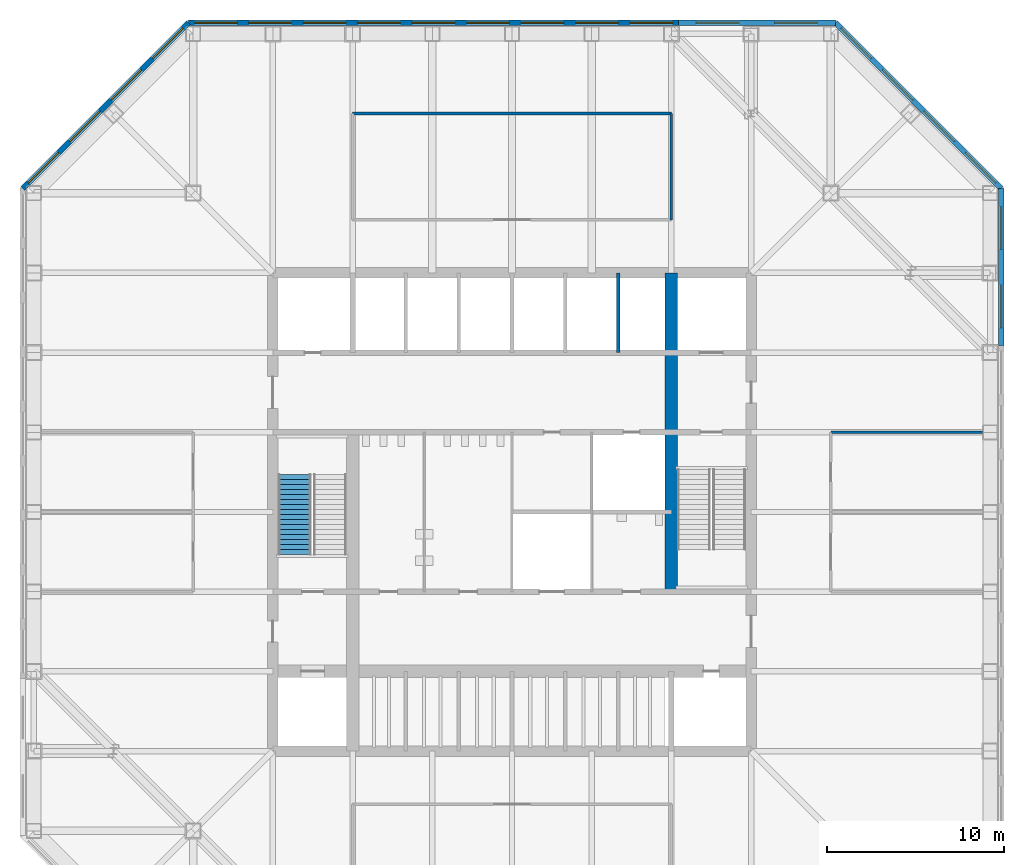
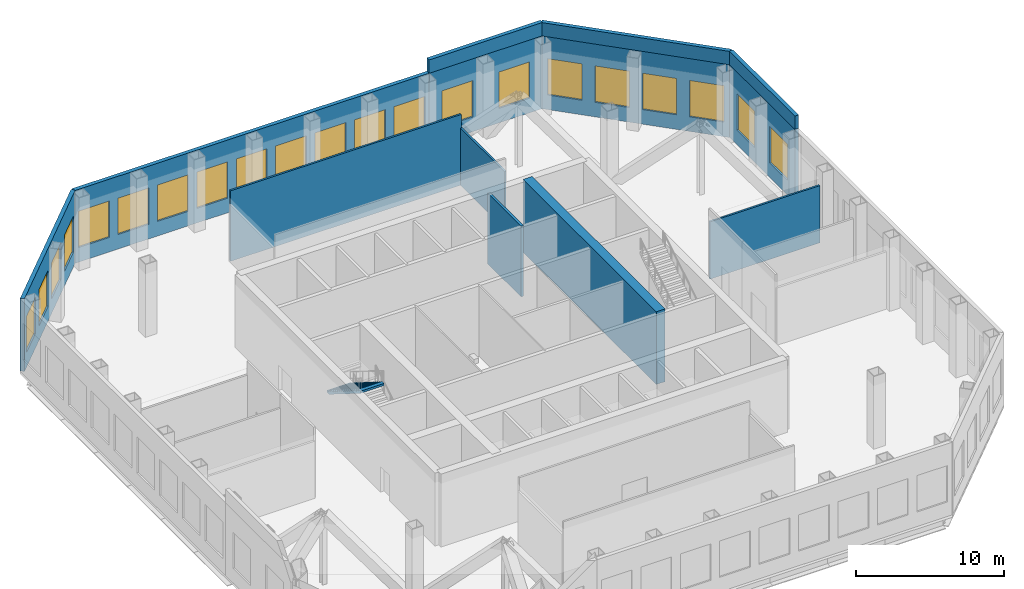
# One storey, part 8 of 11: 21 windows, 13 walls, 1 stair flight, 21 openings, 1 element without a shape of its own.
"""IFC4 building model written with IfcOpenShell, lengths in metres."""

from ifc_helpers import new_model, si_unit, direction, frame, frame_2d, origin, place, context, subcontext, project, spatial, polyline, rectangle, outline, extrude, material, layer, layer_set, type_object, element, fill, aggregate, save


model = new_model("IFC4")

# Units and contexts
model_context = context("Model", 3, precision=1e-05, world=origin(), true_north=direction((0.0, 1.0)))
body_context = subcontext(model_context, "Body", "Model", "MODEL_VIEW")
ifc_project = project(units=[si_unit("LENGTHUNIT", "METRE"), si_unit("AREAUNIT", "SQUARE_METRE"), si_unit("VOLUMEUNIT", "CUBIC_METRE"), si_unit("PLANEANGLEUNIT", "RADIAN"), si_unit("MASSUNIT", "GRAM", prefix="KILO")], contexts=[model_context])

# Site, building, storey
site_placement = place(None, origin())
site = spatial("IfcSite", under=ifc_project, at=site_placement, CompositionType="ELEMENT")
building_placement = place(site_placement, origin())
building = spatial("IfcBuilding", under=site, at=building_placement, Name="Corais Broadcast Tower", CompositionType="ELEMENT")
storey_placement = place(building_placement, frame((0.0, 0.0, 104.60009765625)))
storey = spatial("IfcBuildingStorey", under=building, at=storey_placement, Name="L23", CompositionType="ELEMENT", Elevation=104.60009765625)

# Walls
ifc_material_1 = material(Name="Concrete C50/60", Category="concrete")
ifc_layer_1 = layer(ifc_material_1, 0.699951171875)
ifc_layer_set_1 = layer_set([ifc_layer_1], Name="Concrete C50/60")
wall_type_1 = type_object("IfcWallType", Name="Core spine wall 700", PredefinedType="SHEAR", material=ifc_layer_set_1)
wall_1_placement = place(storey_placement, frame((36.0, 22.5, 0.0), z_axis=(0.0, 0.0, 1.0), x_axis=(0.0, 1.0, 0.0)))
element("IfcWall", 1, at=wall_1_placement, inside=storey, type_object=wall_type_1, Name="CR700 core wall X36B L23", PredefinedType="SHEAR", context=body_context, shape_type="SweptSolid", body=[
    extrude(rectangle(XDim=18.0, YDim=0.699951171875, at=frame_2d((9.0, 0.0))), origin(), (0.0, 0.0, 1.0), 6.0),
])
ifc_material_2 = material(Name="Two layers of fire-rated gypsum board each side on steel studs", Category="steel")
ifc_layer_2 = layer(ifc_material_2, 0.14990234375)
ifc_layer_set_2 = layer_set([ifc_layer_2], Name="Two layers of fire-rated gypsum board each side on steel studs")
wall_type_2 = type_object("IfcWallType", Name="Fire-rated partition 150 EI 60", PredefinedType="PARTITIONING", material=ifc_layer_set_2)
wall_2_placement = place(storey_placement, frame((36.0, 43.5, 0.0), z_axis=(0.0, 0.0, 1.0), x_axis=(0.0, 1.0, 0.0)))
element("IfcWall", 2, at=wall_2_placement, inside=storey, type_object=wall_type_2, Name="IW7 partition L23", PredefinedType="PARTITIONING", context=body_context, shape_type="SweptSolid", body=[
    extrude(rectangle(XDim=6.0, YDim=0.14990234375, at=frame_2d((3.0, 0.0))), origin(), (0.0, 0.0, 1.0), 4.719970703125),
])
wall_3_placement = place(storey_placement, frame((36.0, 49.5, 0.0), z_axis=(0.0, 0.0, 1.0), x_axis=(-1.0, 0.0, 0.0)))
element("IfcWall", 3, at=wall_3_placement, inside=storey, type_object=wall_type_2, Name="IW7 partition L23", PredefinedType="PARTITIONING", context=body_context, shape_type="SweptSolid", body=[
    extrude(rectangle(XDim=18.0, YDim=0.14990234375, at=frame_2d((9.0, 0.0))), origin(), (0.0, 0.0, 1.0), 5.81982421875),
])
ifc_material_3 = material(Name="Precast concrete C40/50", Category="concrete")
ifc_layer_3 = layer(ifc_material_3, 0.300048828125)
ifc_layer_set_3 = layer_set([ifc_layer_3], Name="Precast concrete C40/50")
wall_type_3 = type_object("IfcWallType", Name="Parapet wall 300", PredefinedType="PARAPET", material=ifc_layer_set_3)
wall_4_placement = place(storey_placement, frame((36.40234375, 54.6298828125, 6.0), z_axis=(0.0, 0.0, 1.0), x_axis=(1.0, 0.0, 0.0)))
element("IfcWall", 4, at=wall_4_placement, inside=storey, type_object=wall_type_3, Name="PW1 parapet L23", PredefinedType="PARAPET", context=body_context, shape_type="SweptSolid", body=[
    extrude(rectangle(XDim=8.858642578125, YDim=0.300048828125, at=frame_2d((4.42919921875, 0.0))), origin(), (0.0, 0.0, 1.0), 1.099853515625),
])
wall_5_placement = place(storey_placement, frame((45.260986328125, 54.6298828125, 6.0), z_axis=(0.0, 0.0, 1.0), x_axis=(0.707106781187, -0.707106781187, 0.0)))
element("IfcWall", 5, at=wall_5_placement, inside=storey, type_object=wall_type_3, Name="PW1 parapet L23", PredefinedType="PARAPET", context=body_context, shape_type="SweptSolid", body=[
    extrude(rectangle(XDim=13.24951171875, YDim=0.300048828125, at=frame_2d((6.624755859375, 0.0))), origin(), (0.0, 0.0, 1.0), 1.099853515625),
])
wall_6_placement = place(storey_placement, frame((54.6298828125, 45.260986328125, 6.0), z_axis=(0.0, 0.0, 1.0), x_axis=(0.0, -1.0, 0.0)))
element("IfcWall", 6, at=wall_6_placement, inside=storey, type_object=wall_type_3, Name="PW1 parapet L23", PredefinedType="PARAPET", context=body_context, shape_type="SweptSolid", body=[
    extrude(rectangle(XDim=8.858642578125, YDim=0.300048828125, at=frame_2d((4.42919921875, 0.0))), origin(), (0.0, 0.0, 1.0), 1.099853515625),
])
ifc_material_4 = material(Name="Gypsum board on steel studs", Category="steel")
ifc_layer_4 = layer(ifc_material_4, 0.14990234375)
ifc_layer_set_4 = layer_set([ifc_layer_4], Name="Gypsum board on steel studs")
wall_type_4 = type_object("IfcWallType", Name="Partition 150", PredefinedType="PARTITIONING", material=ifc_layer_set_4)
wall_7_placement = place(storey_placement, frame((53.56494140625, 31.5, 0.0), z_axis=(0.0, 0.0, 1.0), x_axis=(-1.0, 0.0, 0.0)))
element("IfcWall", 7, at=wall_7_placement, inside=storey, type_object=wall_type_4, Name="IW3 partition L23", PredefinedType="PARTITIONING", context=body_context, shape_type="SweptSolid", body=[
    extrude(rectangle(XDim=8.56494140625, YDim=0.14990234375, at=frame_2d((4.282470703125, 0.0))), origin(), (0.0, 0.0, 1.0), 4.719970703125),
])
ifc_material_5 = material(Name="Concrete blockwork class A, grouted, two-hour", Category="masonry")
ifc_layer_5 = layer(ifc_material_5, 0.199951171875)
ifc_layer_set_5 = layer_set([ifc_layer_5], Name="Concrete blockwork class A, grouted, two-hour")
wall_type_5 = type_object("IfcWallType", Name="Shaft wall 200", PredefinedType="PARTITIONING", material=ifc_layer_set_5)
wall_8_placement = place(storey_placement, frame((33.0, 36.0, 0.0), z_axis=(0.0, 0.0, 1.0), x_axis=(0.0, 1.0, 0.0)))
element("IfcWall", 8, at=wall_8_placement, inside=storey, type_object=wall_type_5, Name="IW1 shaft wall L23", PredefinedType="PARTITIONING", context=body_context, shape_type="SweptSolid", body=[
    extrude(rectangle(XDim=4.5, YDim=0.199951171875, at=frame_2d((2.25, 0.0))), origin(), (0.0, 0.0, 1.0), 5.81982421875),
])

# Wall, openings, windows
ifc_material_6 = material(Name="Precast concrete C40/50", Category="concrete")
ifc_layer_6 = layer(ifc_material_6, 0.300048828125)
ifc_layer_set_6 = layer_set([ifc_layer_6], Name="Precast concrete C40/50")
wall_type_6 = type_object("IfcWallType", Name="Stone-faced precast wall 300", PredefinedType="SOLIDWALL", material=ifc_layer_set_6)
wall_9_placement = place(storey_placement, frame((-0.6298828125, 45.260986328125, 0.0), z_axis=(0.0, 0.0, 1.0), x_axis=(0.707106781187, 0.707106781187, 0.0)))
wall_9 = element("IfcWall", 9, at=wall_9_placement, inside=storey, type_object=wall_type_6, Name="EW1 external wall L23 3", PredefinedType="SOLIDWALL", context=body_context, shape_type="SweptSolid", body=[
    extrude(rectangle(XDim=13.24951171875, YDim=0.300048828125, at=frame_2d((6.624755859375, 0.0))), origin(), (0.0, 0.0, 1.0), 6.0),
])
opening_1_placement = place(wall_9_placement, frame((0.456298828125, 0.0, 1.199951171875)))
opening_1 = element("IfcOpeningElement", 10, at=opening_1_placement, cuts=wall_9, Name="Opening LV1", PredefinedType="OPENING", context=body_context, shape_type="SweptSolid", body=[
    extrude(rectangle(XDim=2.39990234375, YDim=3.0, at=frame_2d((1.199951171875, 1.5))), frame((0.0, 0.159912109375, 0.0), z_axis=(0.0, -1.0, 0.0), x_axis=(1.0, 0.0, 0.0)), (0.0, 0.0, 1.0), 0.320068359375),
])
opening_2_placement = place(wall_9_placement, frame((3.7685546875, 0.0, 1.199951171875)))
opening_2 = element("IfcOpeningElement", 11, at=opening_2_placement, cuts=wall_9, Name="Opening LV1", PredefinedType="OPENING", context=body_context, shape_type="SweptSolid", body=[
    extrude(rectangle(XDim=2.39990234375, YDim=3.0, at=frame_2d((1.199951171875, 1.5))), frame((0.0, 0.159912109375, 0.0), z_axis=(0.0, -1.0, 0.0), x_axis=(1.0, 0.0, 0.0)), (0.0, 0.0, 1.0), 0.320068359375),
])
opening_3_placement = place(wall_9_placement, frame((7.0810546875, 0.0, 1.199951171875)))
opening_3 = element("IfcOpeningElement", 12, at=opening_3_placement, cuts=wall_9, Name="Opening LV1", PredefinedType="OPENING", context=body_context, shape_type="SweptSolid", body=[
    extrude(rectangle(XDim=2.39990234375, YDim=3.0, at=frame_2d((1.199951171875, 1.5))), frame((0.0, 0.159912109375, 0.0), z_axis=(0.0, -1.0, 0.0), x_axis=(1.0, 0.0, 0.0)), (0.0, 0.0, 1.0), 0.320068359375),
])
opening_4_placement = place(wall_9_placement, frame((10.3935546875, 0.0, 1.199951171875)))
opening_4 = element("IfcOpeningElement", 13, at=opening_4_placement, cuts=wall_9, Name="Opening LV1", PredefinedType="OPENING", context=body_context, shape_type="SweptSolid", body=[
    extrude(rectangle(XDim=2.39990234375, YDim=3.0, at=frame_2d((1.199951171875, 1.5))), frame((0.0, 0.159912109375, 0.0), z_axis=(0.0, -1.0, 0.0), x_axis=(1.0, 0.0, 0.0)), (0.0, 0.0, 1.0), 0.320068359375),
])
ifc_material_7 = material(Name="Aluminium frame", Category="aluminium")
window_type = type_object("IfcWindowType", Name="Plant louvre 2400x3000", PartitioningType="SINGLE_PANEL", PredefinedType="USERDEFINED", material=ifc_material_7)
window_1_placement = place(opening_1_placement, origin())
window_1 = element("IfcWindow", 14, at=window_1_placement, inside=storey, type_object=window_type, Name="LV1 window L23", ObjectType="LOUVRE", OverallHeight=3.0, OverallWidth=2.39990234375, PartitioningType="SINGLE_PANEL", PredefinedType="USERDEFINED", context=body_context, shape_type="SweptSolid", body=[
    extrude(rectangle(XDim=2.39990234375, YDim=3.0, at=frame_2d((1.199951171875, 1.5))), frame((0.0, 0.030029296875, 0.0), z_axis=(0.0, -1.0, 0.0), x_axis=(1.0, 0.0, 0.0)), (0.0, 0.0, 1.0), 0.06005859375),
])
fill(opening_1, window_1)
window_2_placement = place(opening_2_placement, origin())
window_2 = element("IfcWindow", 15, at=window_2_placement, inside=storey, type_object=window_type, Name="LV1 window L23", ObjectType="LOUVRE", OverallHeight=3.0, OverallWidth=2.39990234375, PartitioningType="SINGLE_PANEL", PredefinedType="USERDEFINED", context=body_context, shape_type="SweptSolid", body=[
    extrude(rectangle(XDim=2.39990234375, YDim=3.0, at=frame_2d((1.199951171875, 1.5))), frame((0.0, 0.030029296875, 0.0), z_axis=(0.0, -1.0, 0.0), x_axis=(1.0, 0.0, 0.0)), (0.0, 0.0, 1.0), 0.06005859375),
])
fill(opening_2, window_2)
window_3_placement = place(opening_3_placement, origin())
window_3 = element("IfcWindow", 16, at=window_3_placement, inside=storey, type_object=window_type, Name="LV1 window L23", ObjectType="LOUVRE", OverallHeight=3.0, OverallWidth=2.39990234375, PartitioningType="SINGLE_PANEL", PredefinedType="USERDEFINED", context=body_context, shape_type="SweptSolid", body=[
    extrude(rectangle(XDim=2.39990234375, YDim=3.0, at=frame_2d((1.199951171875, 1.5))), frame((0.0, 0.030029296875, 0.0), z_axis=(0.0, -1.0, 0.0), x_axis=(1.0, 0.0, 0.0)), (0.0, 0.0, 1.0), 0.06005859375),
])
fill(opening_3, window_3)
window_4_placement = place(opening_4_placement, origin())
window_4 = element("IfcWindow", 17, at=window_4_placement, inside=storey, type_object=window_type, Name="LV1 window L23", ObjectType="LOUVRE", OverallHeight=3.0, OverallWidth=2.39990234375, PartitioningType="SINGLE_PANEL", PredefinedType="USERDEFINED", context=body_context, shape_type="SweptSolid", body=[
    extrude(rectangle(XDim=2.39990234375, YDim=3.0, at=frame_2d((1.199951171875, 1.5))), frame((0.0, 0.030029296875, 0.0), z_axis=(0.0, -1.0, 0.0), x_axis=(1.0, 0.0, 0.0)), (0.0, 0.0, 1.0), 0.06005859375),
])
fill(opening_4, window_4)

wall_10_placement = place(storey_placement, frame((8.739013671875, 54.6298828125, 0.0), z_axis=(0.0, 0.0, 1.0), x_axis=(1.0, 0.0, 0.0)))
wall_10 = element("IfcWall", 18, at=wall_10_placement, inside=storey, type_object=wall_type_6, Name="EW1 external wall L23 4", PredefinedType="SOLIDWALL", context=body_context, shape_type="SweptSolid", body=[
    extrude(rectangle(XDim=27.663330078125, YDim=0.300048828125, at=frame_2d((13.83154296875, 0.0))), origin(), (0.0, 0.0, 1.0), 6.0),
])
opening_5_placement = place(wall_10_placement, frame((0.3369140625, 0.0, 1.199951171875)))
opening_5 = element("IfcOpeningElement", 19, at=opening_5_placement, cuts=wall_10, Name="Opening LV1", PredefinedType="OPENING", context=body_context, shape_type="SweptSolid", body=[
    extrude(rectangle(XDim=2.39990234375, YDim=3.0, at=frame_2d((1.199951171875, 1.5))), frame((0.0, 0.159912109375, 0.0), z_axis=(0.0, -1.0, 0.0), x_axis=(1.0, 0.0, 0.0)), (0.0, 0.0, 1.0), 0.320068359375),
])
opening_6_placement = place(wall_10_placement, frame((3.41064453125, 0.0, 1.199951171875)))
opening_6 = element("IfcOpeningElement", 20, at=opening_6_placement, cuts=wall_10, Name="Opening LV1", PredefinedType="OPENING", context=body_context, shape_type="SweptSolid", body=[
    extrude(rectangle(XDim=2.39990234375, YDim=3.0, at=frame_2d((1.199951171875, 1.5))), frame((0.0, 0.159912109375, 0.0), z_axis=(0.0, -1.0, 0.0), x_axis=(1.0, 0.0, 0.0)), (0.0, 0.0, 1.0), 0.320068359375),
])
opening_7_placement = place(wall_10_placement, frame((6.484375, 0.0, 1.199951171875)))
opening_7 = element("IfcOpeningElement", 21, at=opening_7_placement, cuts=wall_10, Name="Opening LV1", PredefinedType="OPENING", context=body_context, shape_type="SweptSolid", body=[
    extrude(rectangle(XDim=2.39990234375, YDim=3.0, at=frame_2d((1.199951171875, 1.5))), frame((0.0, 0.159912109375, 0.0), z_axis=(0.0, -1.0, 0.0), x_axis=(1.0, 0.0, 0.0)), (0.0, 0.0, 1.0), 0.320068359375),
])
opening_8_placement = place(wall_10_placement, frame((9.55810546875, 0.0, 1.199951171875)))
opening_8 = element("IfcOpeningElement", 22, at=opening_8_placement, cuts=wall_10, Name="Opening LV1", PredefinedType="OPENING", context=body_context, shape_type="SweptSolid", body=[
    extrude(rectangle(XDim=2.39990234375, YDim=3.0, at=frame_2d((1.199951171875, 1.5))), frame((0.0, 0.159912109375, 0.0), z_axis=(0.0, -1.0, 0.0), x_axis=(1.0, 0.0, 0.0)), (0.0, 0.0, 1.0), 0.320068359375),
])
opening_9_placement = place(wall_10_placement, frame((12.631591796875, 0.0, 1.199951171875)))
opening_9 = element("IfcOpeningElement", 23, at=opening_9_placement, cuts=wall_10, Name="Opening LV1", PredefinedType="OPENING", context=body_context, shape_type="SweptSolid", body=[
    extrude(rectangle(XDim=2.39990234375, YDim=3.0, at=frame_2d((1.199951171875, 1.5))), frame((0.0, 0.159912109375, 0.0), z_axis=(0.0, -1.0, 0.0), x_axis=(1.0, 0.0, 0.0)), (0.0, 0.0, 1.0), 0.320068359375),
])
opening_10_placement = place(wall_10_placement, frame((15.705322265625, 0.0, 1.199951171875)))
opening_10 = element("IfcOpeningElement", 24, at=opening_10_placement, cuts=wall_10, Name="Opening LV1", PredefinedType="OPENING", context=body_context, shape_type="SweptSolid", body=[
    extrude(rectangle(XDim=2.39990234375, YDim=3.0, at=frame_2d((1.199951171875, 1.5))), frame((0.0, 0.159912109375, 0.0), z_axis=(0.0, -1.0, 0.0), x_axis=(1.0, 0.0, 0.0)), (0.0, 0.0, 1.0), 0.320068359375),
])
opening_11_placement = place(wall_10_placement, frame((18.779052734375, 0.0, 1.199951171875)))
opening_11 = element("IfcOpeningElement", 25, at=opening_11_placement, cuts=wall_10, Name="Opening LV1", PredefinedType="OPENING", context=body_context, shape_type="SweptSolid", body=[
    extrude(rectangle(XDim=2.39990234375, YDim=3.0, at=frame_2d((1.199951171875, 1.5))), frame((0.0, 0.159912109375, 0.0), z_axis=(0.0, -1.0, 0.0), x_axis=(1.0, 0.0, 0.0)), (0.0, 0.0, 1.0), 0.320068359375),
])
opening_12_placement = place(wall_10_placement, frame((21.852783203125, 0.0, 1.199951171875)))
opening_12 = element("IfcOpeningElement", 26, at=opening_12_placement, cuts=wall_10, Name="Opening LV1", PredefinedType="OPENING", context=body_context, shape_type="SweptSolid", body=[
    extrude(rectangle(XDim=2.39990234375, YDim=3.0, at=frame_2d((1.199951171875, 1.5))), frame((0.0, 0.159912109375, 0.0), z_axis=(0.0, -1.0, 0.0), x_axis=(1.0, 0.0, 0.0)), (0.0, 0.0, 1.0), 0.320068359375),
])
opening_13_placement = place(wall_10_placement, frame((24.926513671875, 0.0, 1.199951171875)))
opening_13 = element("IfcOpeningElement", 27, at=opening_13_placement, cuts=wall_10, Name="Opening LV1", PredefinedType="OPENING", context=body_context, shape_type="SweptSolid", body=[
    extrude(rectangle(XDim=2.39990234375, YDim=3.0, at=frame_2d((1.199951171875, 1.5))), frame((0.0, 0.159912109375, 0.0), z_axis=(0.0, -1.0, 0.0), x_axis=(1.0, 0.0, 0.0)), (0.0, 0.0, 1.0), 0.320068359375),
])
window_5_placement = place(opening_5_placement, origin())
window_5 = element("IfcWindow", 28, at=window_5_placement, inside=storey, type_object=window_type, Name="LV1 window L23", ObjectType="LOUVRE", OverallHeight=3.0, OverallWidth=2.39990234375, PartitioningType="SINGLE_PANEL", PredefinedType="USERDEFINED", context=body_context, shape_type="SweptSolid", body=[
    extrude(rectangle(XDim=2.39990234375, YDim=3.0, at=frame_2d((1.199951171875, 1.5))), frame((0.0, 0.030029296875, 0.0), z_axis=(0.0, -1.0, 0.0), x_axis=(1.0, 0.0, 0.0)), (0.0, 0.0, 1.0), 0.06005859375),
])
fill(opening_5, window_5)
window_6_placement = place(opening_6_placement, origin())
window_6 = element("IfcWindow", 29, at=window_6_placement, inside=storey, type_object=window_type, Name="LV1 window L23", ObjectType="LOUVRE", OverallHeight=3.0, OverallWidth=2.39990234375, PartitioningType="SINGLE_PANEL", PredefinedType="USERDEFINED", context=body_context, shape_type="SweptSolid", body=[
    extrude(rectangle(XDim=2.39990234375, YDim=3.0, at=frame_2d((1.199951171875, 1.5))), frame((0.0, 0.030029296875, 0.0), z_axis=(0.0, -1.0, 0.0), x_axis=(1.0, 0.0, 0.0)), (0.0, 0.0, 1.0), 0.06005859375),
])
fill(opening_6, window_6)
window_7_placement = place(opening_7_placement, origin())
window_7 = element("IfcWindow", 30, at=window_7_placement, inside=storey, type_object=window_type, Name="LV1 window L23", ObjectType="LOUVRE", OverallHeight=3.0, OverallWidth=2.39990234375, PartitioningType="SINGLE_PANEL", PredefinedType="USERDEFINED", context=body_context, shape_type="SweptSolid", body=[
    extrude(rectangle(XDim=2.39990234375, YDim=3.0, at=frame_2d((1.199951171875, 1.5))), frame((0.0, 0.030029296875, 0.0), z_axis=(0.0, -1.0, 0.0), x_axis=(1.0, 0.0, 0.0)), (0.0, 0.0, 1.0), 0.06005859375),
])
fill(opening_7, window_7)
window_8_placement = place(opening_8_placement, origin())
window_8 = element("IfcWindow", 31, at=window_8_placement, inside=storey, type_object=window_type, Name="LV1 window L23", ObjectType="LOUVRE", OverallHeight=3.0, OverallWidth=2.39990234375, PartitioningType="SINGLE_PANEL", PredefinedType="USERDEFINED", context=body_context, shape_type="SweptSolid", body=[
    extrude(rectangle(XDim=2.39990234375, YDim=3.0, at=frame_2d((1.199951171875, 1.5))), frame((0.0, 0.030029296875, 0.0), z_axis=(0.0, -1.0, 0.0), x_axis=(1.0, 0.0, 0.0)), (0.0, 0.0, 1.0), 0.06005859375),
])
fill(opening_8, window_8)
window_9_placement = place(opening_9_placement, origin())
window_9 = element("IfcWindow", 32, at=window_9_placement, inside=storey, type_object=window_type, Name="LV1 window L23", ObjectType="LOUVRE", OverallHeight=3.0, OverallWidth=2.39990234375, PartitioningType="SINGLE_PANEL", PredefinedType="USERDEFINED", context=body_context, shape_type="SweptSolid", body=[
    extrude(rectangle(XDim=2.39990234375, YDim=3.0, at=frame_2d((1.199951171875, 1.5))), frame((0.0, 0.030029296875, 0.0), z_axis=(0.0, -1.0, 0.0), x_axis=(1.0, 0.0, 0.0)), (0.0, 0.0, 1.0), 0.06005859375),
])
fill(opening_9, window_9)
window_10_placement = place(opening_10_placement, origin())
window_10 = element("IfcWindow", 33, at=window_10_placement, inside=storey, type_object=window_type, Name="LV1 window L23", ObjectType="LOUVRE", OverallHeight=3.0, OverallWidth=2.39990234375, PartitioningType="SINGLE_PANEL", PredefinedType="USERDEFINED", context=body_context, shape_type="SweptSolid", body=[
    extrude(rectangle(XDim=2.39990234375, YDim=3.0, at=frame_2d((1.199951171875, 1.5))), frame((0.0, 0.030029296875, 0.0), z_axis=(0.0, -1.0, 0.0), x_axis=(1.0, 0.0, 0.0)), (0.0, 0.0, 1.0), 0.06005859375),
])
fill(opening_10, window_10)
window_11_placement = place(opening_11_placement, origin())
window_11 = element("IfcWindow", 34, at=window_11_placement, inside=storey, type_object=window_type, Name="LV1 window L23", ObjectType="LOUVRE", OverallHeight=3.0, OverallWidth=2.39990234375, PartitioningType="SINGLE_PANEL", PredefinedType="USERDEFINED", context=body_context, shape_type="SweptSolid", body=[
    extrude(rectangle(XDim=2.39990234375, YDim=3.0, at=frame_2d((1.199951171875, 1.5))), frame((0.0, 0.030029296875, 0.0), z_axis=(0.0, -1.0, 0.0), x_axis=(1.0, 0.0, 0.0)), (0.0, 0.0, 1.0), 0.06005859375),
])
fill(opening_11, window_11)
window_12_placement = place(opening_12_placement, origin())
window_12 = element("IfcWindow", 35, at=window_12_placement, inside=storey, type_object=window_type, Name="LV1 window L23", ObjectType="LOUVRE", OverallHeight=3.0, OverallWidth=2.39990234375, PartitioningType="SINGLE_PANEL", PredefinedType="USERDEFINED", context=body_context, shape_type="SweptSolid", body=[
    extrude(rectangle(XDim=2.39990234375, YDim=3.0, at=frame_2d((1.199951171875, 1.5))), frame((0.0, 0.030029296875, 0.0), z_axis=(0.0, -1.0, 0.0), x_axis=(1.0, 0.0, 0.0)), (0.0, 0.0, 1.0), 0.06005859375),
])
fill(opening_12, window_12)
window_13_placement = place(opening_13_placement, origin())
window_13 = element("IfcWindow", 36, at=window_13_placement, inside=storey, type_object=window_type, Name="LV1 window L23", ObjectType="LOUVRE", OverallHeight=3.0, OverallWidth=2.39990234375, PartitioningType="SINGLE_PANEL", PredefinedType="USERDEFINED", context=body_context, shape_type="SweptSolid", body=[
    extrude(rectangle(XDim=2.39990234375, YDim=3.0, at=frame_2d((1.199951171875, 1.5))), frame((0.0, 0.030029296875, 0.0), z_axis=(0.0, -1.0, 0.0), x_axis=(1.0, 0.0, 0.0)), (0.0, 0.0, 1.0), 0.06005859375),
])
fill(opening_13, window_13)

wall_11_placement = place(storey_placement, frame((36.40234375, 54.6298828125, 0.0), z_axis=(0.0, 0.0, 1.0), x_axis=(1.0, 0.0, 0.0)))
wall_11 = element("IfcWall", 37, at=wall_11_placement, inside=storey, type_object=wall_type_6, Name="EW1 external wall L23 4", PredefinedType="SOLIDWALL", context=body_context, shape_type="SweptSolid", body=[
    extrude(rectangle(XDim=8.858642578125, YDim=0.300048828125, at=frame_2d((4.42919921875, 0.0))), origin(), (0.0, 0.0, 1.0), 6.0),
])
opening_14_placement = place(wall_11_placement, frame((1.0146484375, 0.0, 1.199951171875)))
opening_14 = element("IfcOpeningElement", 38, at=opening_14_placement, cuts=wall_11, Name="Opening LV1", PredefinedType="OPENING", context=body_context, shape_type="SweptSolid", body=[
    extrude(rectangle(XDim=2.39990234375, YDim=3.0, at=frame_2d((1.199951171875, 1.5))), frame((0.0, 0.159912109375, 0.0), z_axis=(0.0, -1.0, 0.0), x_axis=(1.0, 0.0, 0.0)), (0.0, 0.0, 1.0), 0.320068359375),
])
opening_15_placement = place(wall_11_placement, frame((5.44384765625, 0.0, 1.199951171875)))
opening_15 = element("IfcOpeningElement", 39, at=opening_15_placement, cuts=wall_11, Name="Opening LV1", PredefinedType="OPENING", context=body_context, shape_type="SweptSolid", body=[
    extrude(rectangle(XDim=2.39990234375, YDim=3.0, at=frame_2d((1.199951171875, 1.5))), frame((0.0, 0.159912109375, 0.0), z_axis=(0.0, -1.0, 0.0), x_axis=(1.0, 0.0, 0.0)), (0.0, 0.0, 1.0), 0.320068359375),
])
window_14_placement = place(opening_14_placement, origin())
window_14 = element("IfcWindow", 40, at=window_14_placement, inside=storey, type_object=window_type, Name="LV1 window L23", ObjectType="LOUVRE", OverallHeight=3.0, OverallWidth=2.39990234375, PartitioningType="SINGLE_PANEL", PredefinedType="USERDEFINED", context=body_context, shape_type="SweptSolid", body=[
    extrude(rectangle(XDim=2.39990234375, YDim=3.0, at=frame_2d((1.199951171875, 1.5))), frame((0.0, 0.030029296875, 0.0), z_axis=(0.0, -1.0, 0.0), x_axis=(1.0, 0.0, 0.0)), (0.0, 0.0, 1.0), 0.06005859375),
])
fill(opening_14, window_14)
window_15_placement = place(opening_15_placement, origin())
window_15 = element("IfcWindow", 41, at=window_15_placement, inside=storey, type_object=window_type, Name="LV1 window L23", ObjectType="LOUVRE", OverallHeight=3.0, OverallWidth=2.39990234375, PartitioningType="SINGLE_PANEL", PredefinedType="USERDEFINED", context=body_context, shape_type="SweptSolid", body=[
    extrude(rectangle(XDim=2.39990234375, YDim=3.0, at=frame_2d((1.199951171875, 1.5))), frame((0.0, 0.030029296875, 0.0), z_axis=(0.0, -1.0, 0.0), x_axis=(1.0, 0.0, 0.0)), (0.0, 0.0, 1.0), 0.06005859375),
])
fill(opening_15, window_15)

wall_12_placement = place(storey_placement, frame((45.260986328125, 54.6298828125, 0.0), z_axis=(0.0, 0.0, 1.0), x_axis=(0.707106781187, -0.707106781187, 0.0)))
wall_12 = element("IfcWall", 42, at=wall_12_placement, inside=storey, type_object=wall_type_6, Name="EW1 external wall L23 5", PredefinedType="SOLIDWALL", context=body_context, shape_type="SweptSolid", body=[
    extrude(rectangle(XDim=13.24951171875, YDim=0.300048828125, at=frame_2d((6.624755859375, 0.0))), origin(), (0.0, 0.0, 1.0), 6.0),
])
opening_16_placement = place(wall_12_placement, frame((0.456298828125, 0.0, 1.199951171875)))
opening_16 = element("IfcOpeningElement", 43, at=opening_16_placement, cuts=wall_12, Name="Opening LV1", PredefinedType="OPENING", context=body_context, shape_type="SweptSolid", body=[
    extrude(rectangle(XDim=2.39990234375, YDim=3.0, at=frame_2d((1.199951171875, 1.5))), frame((0.0, 0.159912109375, 0.0), z_axis=(0.0, -1.0, 0.0), x_axis=(1.0, 0.0, 0.0)), (0.0, 0.0, 1.0), 0.320068359375),
])
opening_17_placement = place(wall_12_placement, frame((3.7685546875, 0.0, 1.199951171875)))
opening_17 = element("IfcOpeningElement", 44, at=opening_17_placement, cuts=wall_12, Name="Opening LV1", PredefinedType="OPENING", context=body_context, shape_type="SweptSolid", body=[
    extrude(rectangle(XDim=2.39990234375, YDim=3.0, at=frame_2d((1.199951171875, 1.5))), frame((0.0, 0.159912109375, 0.0), z_axis=(0.0, -1.0, 0.0), x_axis=(1.0, 0.0, 0.0)), (0.0, 0.0, 1.0), 0.320068359375),
])
opening_18_placement = place(wall_12_placement, frame((7.0810546875, 0.0, 1.199951171875)))
opening_18 = element("IfcOpeningElement", 45, at=opening_18_placement, cuts=wall_12, Name="Opening LV1", PredefinedType="OPENING", context=body_context, shape_type="SweptSolid", body=[
    extrude(rectangle(XDim=2.39990234375, YDim=3.0, at=frame_2d((1.199951171875, 1.5))), frame((0.0, 0.159912109375, 0.0), z_axis=(0.0, -1.0, 0.0), x_axis=(1.0, 0.0, 0.0)), (0.0, 0.0, 1.0), 0.320068359375),
])
opening_19_placement = place(wall_12_placement, frame((10.3935546875, 0.0, 1.199951171875)))
opening_19 = element("IfcOpeningElement", 46, at=opening_19_placement, cuts=wall_12, Name="Opening LV1", PredefinedType="OPENING", context=body_context, shape_type="SweptSolid", body=[
    extrude(rectangle(XDim=2.39990234375, YDim=3.0, at=frame_2d((1.199951171875, 1.5))), frame((0.0, 0.159912109375, 0.0), z_axis=(0.0, -1.0, 0.0), x_axis=(1.0, 0.0, 0.0)), (0.0, 0.0, 1.0), 0.320068359375),
])
window_16_placement = place(opening_16_placement, origin())
window_16 = element("IfcWindow", 47, at=window_16_placement, inside=storey, type_object=window_type, Name="LV1 window L23", ObjectType="LOUVRE", OverallHeight=3.0, OverallWidth=2.39990234375, PartitioningType="SINGLE_PANEL", PredefinedType="USERDEFINED", context=body_context, shape_type="SweptSolid", body=[
    extrude(rectangle(XDim=2.39990234375, YDim=3.0, at=frame_2d((1.199951171875, 1.5))), frame((0.0, 0.030029296875, 0.0), z_axis=(0.0, -1.0, 0.0), x_axis=(1.0, 0.0, 0.0)), (0.0, 0.0, 1.0), 0.06005859375),
])
fill(opening_16, window_16)
window_17_placement = place(opening_17_placement, origin())
window_17 = element("IfcWindow", 48, at=window_17_placement, inside=storey, type_object=window_type, Name="LV1 window L23", ObjectType="LOUVRE", OverallHeight=3.0, OverallWidth=2.39990234375, PartitioningType="SINGLE_PANEL", PredefinedType="USERDEFINED", context=body_context, shape_type="SweptSolid", body=[
    extrude(rectangle(XDim=2.39990234375, YDim=3.0, at=frame_2d((1.199951171875, 1.5))), frame((0.0, 0.030029296875, 0.0), z_axis=(0.0, -1.0, 0.0), x_axis=(1.0, 0.0, 0.0)), (0.0, 0.0, 1.0), 0.06005859375),
])
fill(opening_17, window_17)
window_18_placement = place(opening_18_placement, origin())
window_18 = element("IfcWindow", 49, at=window_18_placement, inside=storey, type_object=window_type, Name="LV1 window L23", ObjectType="LOUVRE", OverallHeight=3.0, OverallWidth=2.39990234375, PartitioningType="SINGLE_PANEL", PredefinedType="USERDEFINED", context=body_context, shape_type="SweptSolid", body=[
    extrude(rectangle(XDim=2.39990234375, YDim=3.0, at=frame_2d((1.199951171875, 1.5))), frame((0.0, 0.030029296875, 0.0), z_axis=(0.0, -1.0, 0.0), x_axis=(1.0, 0.0, 0.0)), (0.0, 0.0, 1.0), 0.06005859375),
])
fill(opening_18, window_18)
window_19_placement = place(opening_19_placement, origin())
window_19 = element("IfcWindow", 50, at=window_19_placement, inside=storey, type_object=window_type, Name="LV1 window L23", ObjectType="LOUVRE", OverallHeight=3.0, OverallWidth=2.39990234375, PartitioningType="SINGLE_PANEL", PredefinedType="USERDEFINED", context=body_context, shape_type="SweptSolid", body=[
    extrude(rectangle(XDim=2.39990234375, YDim=3.0, at=frame_2d((1.199951171875, 1.5))), frame((0.0, 0.030029296875, 0.0), z_axis=(0.0, -1.0, 0.0), x_axis=(1.0, 0.0, 0.0)), (0.0, 0.0, 1.0), 0.06005859375),
])
fill(opening_19, window_19)

wall_13_placement = place(storey_placement, frame((54.6298828125, 45.260986328125, 0.0), z_axis=(0.0, 0.0, 1.0), x_axis=(0.0, -1.0, 0.0)))
wall_13 = element("IfcWall", 51, at=wall_13_placement, inside=storey, type_object=wall_type_6, Name="EW1 external wall L23 6", PredefinedType="SOLIDWALL", context=body_context, shape_type="SweptSolid", body=[
    extrude(rectangle(XDim=8.858642578125, YDim=0.300048828125, at=frame_2d((4.42919921875, 0.0))), origin(), (0.0, 0.0, 1.0), 6.0),
])
opening_20_placement = place(wall_13_placement, frame((1.0146484375, 0.0, 1.199951171875)))
opening_20 = element("IfcOpeningElement", 52, at=opening_20_placement, cuts=wall_13, Name="Opening LV1", PredefinedType="OPENING", context=body_context, shape_type="SweptSolid", body=[
    extrude(rectangle(XDim=2.39990234375, YDim=3.0, at=frame_2d((1.199951171875, 1.5))), frame((0.0, 0.159912109375, 0.0), z_axis=(0.0, -1.0, 0.0), x_axis=(1.0, 0.0, 0.0)), (0.0, 0.0, 1.0), 0.320068359375),
])
opening_21_placement = place(wall_13_placement, frame((5.44384765625, 0.0, 1.199951171875)))
opening_21 = element("IfcOpeningElement", 53, at=opening_21_placement, cuts=wall_13, Name="Opening LV1", PredefinedType="OPENING", context=body_context, shape_type="SweptSolid", body=[
    extrude(rectangle(XDim=2.39990234375, YDim=3.0, at=frame_2d((1.199951171875, 1.5))), frame((0.0, 0.159912109375, 0.0), z_axis=(0.0, -1.0, 0.0), x_axis=(1.0, 0.0, 0.0)), (0.0, 0.0, 1.0), 0.320068359375),
])
window_20_placement = place(opening_20_placement, origin())
window_20 = element("IfcWindow", 54, at=window_20_placement, inside=storey, type_object=window_type, Name="LV1 window L23", ObjectType="LOUVRE", OverallHeight=3.0, OverallWidth=2.39990234375, PartitioningType="SINGLE_PANEL", PredefinedType="USERDEFINED", context=body_context, shape_type="SweptSolid", body=[
    extrude(rectangle(XDim=2.39990234375, YDim=3.0, at=frame_2d((1.199951171875, 1.5))), frame((0.0, 0.030029296875, 0.0), z_axis=(0.0, -1.0, 0.0), x_axis=(1.0, 0.0, 0.0)), (0.0, 0.0, 1.0), 0.06005859375),
])
fill(opening_20, window_20)
window_21_placement = place(opening_21_placement, origin())
window_21 = element("IfcWindow", 55, at=window_21_placement, inside=storey, type_object=window_type, Name="LV1 window L23", ObjectType="LOUVRE", OverallHeight=3.0, OverallWidth=2.39990234375, PartitioningType="SINGLE_PANEL", PredefinedType="USERDEFINED", context=body_context, shape_type="SweptSolid", body=[
    extrude(rectangle(XDim=2.39990234375, YDim=3.0, at=frame_2d((1.199951171875, 1.5))), frame((0.0, 0.030029296875, 0.0), z_axis=(0.0, -1.0, 0.0), x_axis=(1.0, 0.0, 0.0)), (0.0, 0.0, 1.0), 0.06005859375),
])
fill(opening_21, window_21)

# Stair, stair flight
ifc_material_8 = material(Name="Concrete C30/37", Category="concrete")
stair_type = type_object("IfcStairType", Name="Half-turn stair 6000", PredefinedType="HALF_TURN_STAIR", material=ifc_material_8)
stair_placement = place(storey_placement, origin())
stair = element("IfcStair", 56, at=stair_placement, inside=storey, type_object=stair_type, Name="Stair A L23", PredefinedType="HALF_TURN_STAIR")
ifc_material_9 = material(Name="Concrete C30/37", Category="concrete")
stair_flight_type = type_object("IfcStairFlightType", Name="Stair flight 6000", PredefinedType="STRAIGHT", material=ifc_material_9)
stair_flight_placement = place(storey_placement, frame((14.72509765625, 29.112060546875, 3.0), z_axis=(0.0, 0.0, 1.0), x_axis=(0.0, -1.0, 0.0)))
stair_flight = element("IfcStairFlight", 57, at=stair_flight_placement, type_object=stair_flight_type, Name="STA flight 2", NumberOfRisers=17, NumberOfTreads=16, PredefinedType="STRAIGHT", RiserHeight=0.176470588, TreadLength=0.282, context=body_context, shape_type="SweptSolid", body=[
    extrude(outline(polyline([(0.0, 0.0), (0.0, 0.176513671875), (0.281982421875, 0.176513671875), (0.281982421875, 0.35302734375), (0.56396484375, 0.35302734375), (0.56396484375, 0.529296875), (0.845947265625, 0.529296875), (0.845947265625, 0.705810546875), (1.1279296875, 0.705810546875), (1.1279296875, 0.88232421875), (1.409912109375, 0.88232421875), (1.409912109375, 1.058837890625), (1.69189453125, 1.058837890625), (1.69189453125, 1.2353515625), (1.97412109375, 1.2353515625), (1.97412109375, 1.411865234375), (2.256103515625, 1.411865234375), (2.256103515625, 1.588134765625), (2.5380859375, 1.588134765625), (2.5380859375, 1.7646484375), (2.820068359375, 1.7646484375), (2.820068359375, 1.941162109375), (3.10205078125, 1.941162109375), (3.10205078125, 2.11767578125), (3.384033203125, 2.11767578125), (3.384033203125, 2.294189453125), (3.666015625, 2.294189453125), (3.666015625, 2.470703125), (3.947998046875, 2.470703125), (3.947998046875, 2.64697265625), (4.22998046875, 2.64697265625), (4.22998046875, 2.823486328125), (4.511962890625, 2.823486328125), (4.511962890625, 3.0), (4.511962890625, 2.646728515625), (0.282470703125, 0.0), (0.0, 0.0)])), frame((0.0, 0.925048828125, 0.0), z_axis=(0.0, -1.0, 0.0), x_axis=(1.0, 0.0, 0.0)), (0.0, 0.0, 1.0), 1.85009765625),
])
aggregate(stair, [stair_flight])

save(model, "model.ifc")
